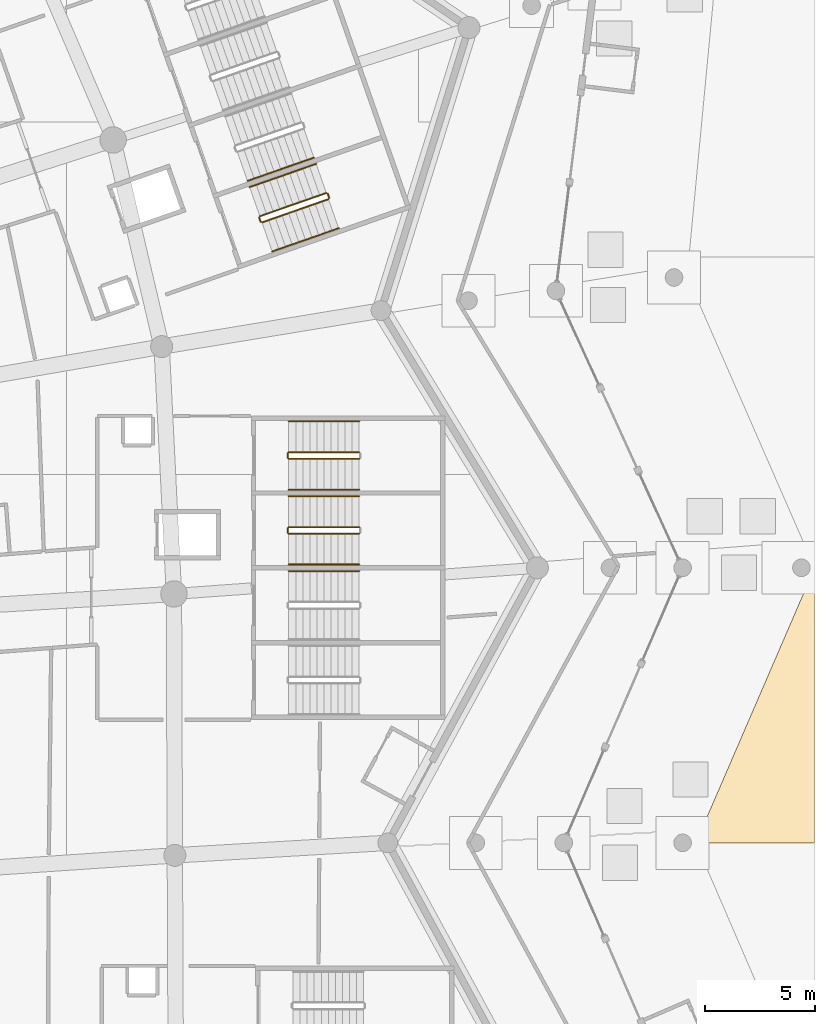
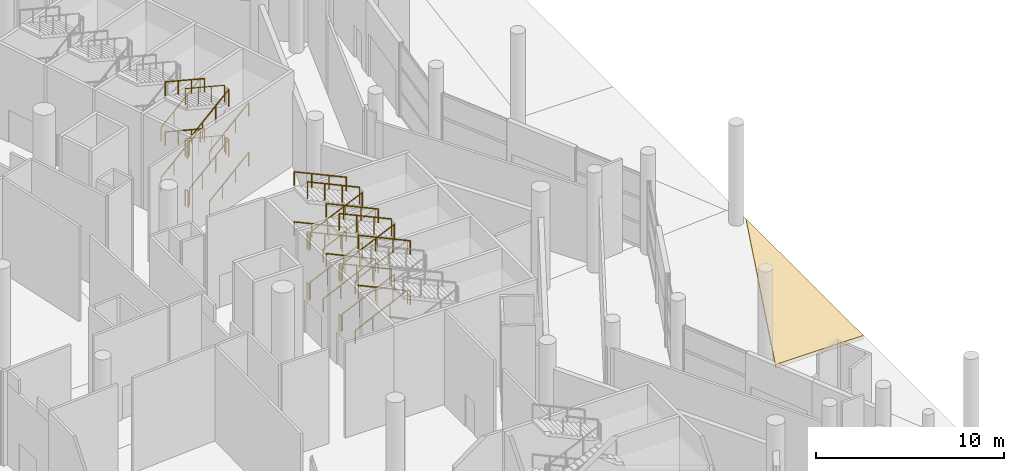
# One storey, part 244 of 255: 35 railings, 1 covering.
"""IFC4 building model written with IfcOpenShell, lengths in metres."""

from ifc_helpers import new_model, si_unit, direction, frame, origin, origin_2d, place, context, subcontext, project, spatial, polyline, circle, outline, extrude, material, layer, layer_set, type_object, element, save


model = new_model("IFC4")

# Units and contexts
model_context = context("Model", 3, precision=1e-05, world=origin(), true_north=direction((0.0, 1.0)))
body_context = subcontext(model_context, "Body", "Model", "MODEL_VIEW")
ifc_project = project(units=[si_unit("LENGTHUNIT", "METRE"), si_unit("AREAUNIT", "SQUARE_METRE"), si_unit("VOLUMEUNIT", "CUBIC_METRE"), si_unit("PLANEANGLEUNIT", "RADIAN"), si_unit("MASSUNIT", "GRAM", prefix="KILO")], contexts=[model_context])

# Site, building, storey
site_placement = place(None, origin())
site = spatial("IfcSite", under=ifc_project, at=site_placement, CompositionType="ELEMENT")
building_placement = place(site_placement, origin())
building = spatial("IfcBuilding", under=site, at=building_placement, Name="Meseta Stadium", CompositionType="ELEMENT")
storey_placement = place(building_placement, origin())
storey = spatial("IfcBuildingStorey", under=building, at=storey_placement, Name="L00", CompositionType="ELEMENT", Elevation=0.0)

# Covering
ifc_material_1 = material(Name="Guadarrama granite paving on bedding", Category="masonry")
ifc_layer = layer(ifc_material_1, 0.25)
ifc_layer_set = layer_set([ifc_layer], Name="Ground paving 250")
covering_type = type_object("IfcCoveringType", Name="Ground paving 250", PredefinedType="FLOORING", material=ifc_layer_set)
covering_placement = place(storey_placement, frame((0.0, 0.0, -0.25)))
element("IfcCovering", 1, at=covering_placement, inside=storey, type_object=covering_type, Name="Forecourt paving 41", PredefinedType="FLOORING", context=body_context, shape_type="SweptSolid", body=[
    extrude(outline(polyline([(114.0, 31.25), (114.0, 43.75), (108.60009765625, 31.25), (114.0, 31.25)])), origin(), (0.0, 0.0, 1.0), 0.25),
])

# Railings
ifc_material_2 = material(Name="Steel S355", Category="steel")
railing_type_1 = type_object("IfcRailingType", Name="Stair guard 1100", PredefinedType="GUARDRAIL", material=ifc_material_2)
railing_1_placement = place(storey_placement, frame((90.10009765625, 45.300048828125, 0.147705078125)))
element("IfcRailing", 2, at=railing_1_placement, inside=storey, type_object=railing_type_1, Name="ST19 L00 guard 1", PredefinedType="GUARDRAIL", context=body_context, shape_type="SweptSolid", body=[
    extrude(circle(Radius=0.02392578125, at=origin_2d()), frame((0.0, 0.0, 1.076171875), z_axis=(0.907916804346, 0.0, 0.419150422148), x_axis=(0.0, 1.0, 0.0)), (0.0, 0.0, 1.0), 3.5244140625),
    extrude(circle(Radius=0.02099609375, at=origin_2d()), origin(), (0.0, 0.0, 1.0), 1.052001953125),
    extrude(circle(Radius=0.02099609375, at=origin_2d()), frame((1.066650390625, 0.0, 0.492431640625)), (0.0, 0.0, 1.0), 1.052001953125),
    extrude(circle(Radius=0.02099609375, at=origin_2d()), frame((2.13330078125, 0.0, 0.98486328125)), (0.0, 0.0, 1.0), 1.052001953125),
    extrude(circle(Radius=0.02099609375, at=origin_2d()), frame((3.199951171875, 0.0, 1.477294921875)), (0.0, 0.0, 1.0), 1.052001953125),
])
railing_2_placement = place(storey_placement, frame((93.300048828125, 45.60009765625, 1.772705078125)))
element("IfcRailing", 3, at=railing_2_placement, inside=storey, type_object=railing_type_1, Name="ST19 L00 guard 3", PredefinedType="GUARDRAIL", context=body_context, shape_type="SweptSolid", body=[
    extrude(circle(Radius=0.02392578125, at=origin_2d()), frame((0.0, 0.0, 1.076171875), z_axis=(-0.907916804346, 0.0, 0.419150422148), x_axis=(0.0, -1.0, 0.0)), (0.0, 0.0, 1.0), 3.5244140625),
    extrude(circle(Radius=0.02099609375, at=origin_2d()), origin(), (0.0, 0.0, 1.0), 1.052001953125),
    extrude(circle(Radius=0.02099609375, at=origin_2d()), frame((-1.066650390625, 0.0, 0.492431640625)), (0.0, 0.0, 1.0), 1.052001953125),
    extrude(circle(Radius=0.02099609375, at=origin_2d()), frame((-2.13330078125, 0.0, 0.98486328125)), (0.0, 0.0, 1.0), 1.052001953125),
    extrude(circle(Radius=0.02099609375, at=origin_2d()), frame((-3.199951171875, 0.0, 1.477294921875)), (0.0, 0.0, 1.0), 1.052001953125),
])
railing_3_placement = place(storey_placement, frame((90.050048828125, 45.35009765625, 3.25)))
element("IfcRailing", 4, at=railing_3_placement, inside=storey, type_object=railing_type_1, Name="ST19 L00 guard 4", PredefinedType="GUARDRAIL", context=body_context, shape_type="SweptSolid", body=[
    extrude(circle(Radius=0.02392578125, at=origin_2d()), frame((0.0, 0.0, 1.076171875), z_axis=(0.0, 1.0, 0.0), x_axis=(-1.0, 0.0, 0.0)), (0.0, 0.0, 1.0), 0.199951171875),
    extrude(circle(Radius=0.02099609375, at=origin_2d()), origin(), (0.0, 0.0, 1.0), 1.052001953125),
    extrude(circle(Radius=0.02099609375, at=origin_2d()), frame((0.0, 0.199951171875, 0.0)), (0.0, 0.0, 1.0), 1.052001953125),
])
railing_4_placement = place(storey_placement, frame((90.10009765625, 45.300048828125, 3.397705078125)))
element("IfcRailing", 5, at=railing_4_placement, inside=storey, type_object=railing_type_1, Name="ST19 L00 guard 5", PredefinedType="GUARDRAIL", context=body_context, shape_type="SweptSolid", body=[
    extrude(circle(Radius=0.02392578125, at=origin_2d()), frame((0.0, 0.0, 1.076171875), z_axis=(0.907916804346, 0.0, 0.419150422148), x_axis=(0.0, 1.0, 0.0)), (0.0, 0.0, 1.0), 3.5244140625),
    extrude(circle(Radius=0.02099609375, at=origin_2d()), origin(), (0.0, 0.0, 1.0), 1.052001953125),
    extrude(circle(Radius=0.02099609375, at=origin_2d()), frame((1.066650390625, 0.0, 0.492431640625)), (0.0, 0.0, 1.0), 1.052001953125),
    extrude(circle(Radius=0.02099609375, at=origin_2d()), frame((2.13330078125, 0.0, 0.98486328125)), (0.0, 0.0, 1.0), 1.052001953125),
    extrude(circle(Radius=0.02099609375, at=origin_2d()), frame((3.199951171875, 0.0, 1.477294921875)), (0.0, 0.0, 1.0), 1.052001953125),
])
railing_5_placement = place(storey_placement, frame((93.300048828125, 45.60009765625, 5.022705078125)))
element("IfcRailing", 6, at=railing_5_placement, inside=storey, type_object=railing_type_1, Name="ST19 L00 guard 7", PredefinedType="GUARDRAIL", context=body_context, shape_type="SweptSolid", body=[
    extrude(circle(Radius=0.02392578125, at=origin_2d()), frame((0.0, 0.0, 1.076171875), z_axis=(-0.907916804346, 0.0, 0.419150422148), x_axis=(0.0, -1.0, 0.0)), (0.0, 0.0, 1.0), 3.5244140625),
    extrude(circle(Radius=0.02099609375, at=origin_2d()), origin(), (0.0, 0.0, 1.0), 1.052001953125),
    extrude(circle(Radius=0.02099609375, at=origin_2d()), frame((-1.066650390625, 0.0, 0.492431640625)), (0.0, 0.0, 1.0), 1.052001953125),
    extrude(circle(Radius=0.02099609375, at=origin_2d()), frame((-2.13330078125, 0.0, 0.98486328125)), (0.0, 0.0, 1.0), 1.052001953125),
    extrude(circle(Radius=0.02099609375, at=origin_2d()), frame((-3.199951171875, 0.0, 1.477294921875)), (0.0, 0.0, 1.0), 1.052001953125),
])
railing_6_placement = place(storey_placement, frame((90.050048828125, 45.35009765625, 0.0)))
element("IfcRailing", 7, at=railing_6_placement, inside=storey, type_object=railing_type_1, Name="ST19 L00 guard 8", PredefinedType="GUARDRAIL", context=body_context, shape_type="SweptSolid", body=[
    extrude(circle(Radius=0.02392578125, at=origin_2d()), frame((0.0, 0.0, 1.076171875), z_axis=(0.0, 1.0, 0.0), x_axis=(-1.0, 0.0, 0.0)), (0.0, 0.0, 1.0), 0.199951171875),
    extrude(circle(Radius=0.02099609375, at=origin_2d()), origin(), (0.0, 0.0, 1.0), 1.052001953125),
    extrude(circle(Radius=0.02099609375, at=origin_2d()), frame((0.0, 0.199951171875, 0.0)), (0.0, 0.0, 1.0), 1.052001953125),
])
railing_7_placement = place(storey_placement, frame((90.10009765625, 48.699951171875, 0.147705078125)))
element("IfcRailing", 8, at=railing_7_placement, inside=storey, type_object=railing_type_1, Name="ST20 L00 guard 1", PredefinedType="GUARDRAIL", context=body_context, shape_type="SweptSolid", body=[
    extrude(circle(Radius=0.02392578125, at=origin_2d()), frame((0.0, 0.0, 1.076171875), z_axis=(0.907916804346, 0.0, 0.419150422148), x_axis=(0.0, 1.0, 0.0)), (0.0, 0.0, 1.0), 3.5244140625),
    extrude(circle(Radius=0.02099609375, at=origin_2d()), origin(), (0.0, 0.0, 1.0), 1.052001953125),
    extrude(circle(Radius=0.02099609375, at=origin_2d()), frame((1.066650390625, 0.0, 0.492431640625)), (0.0, 0.0, 1.0), 1.052001953125),
    extrude(circle(Radius=0.02099609375, at=origin_2d()), frame((2.13330078125, 0.0, 0.98486328125)), (0.0, 0.0, 1.0), 1.052001953125),
    extrude(circle(Radius=0.02099609375, at=origin_2d()), frame((3.199951171875, 0.0, 1.477294921875)), (0.0, 0.0, 1.0), 1.052001953125),
])
railing_8_placement = place(storey_placement, frame((93.300048828125, 49.0, 1.772705078125)))
element("IfcRailing", 9, at=railing_8_placement, inside=storey, type_object=railing_type_1, Name="ST20 L00 guard 3", PredefinedType="GUARDRAIL", context=body_context, shape_type="SweptSolid", body=[
    extrude(circle(Radius=0.02392578125, at=origin_2d()), frame((0.0, 0.0, 1.076171875), z_axis=(-0.907916804346, 0.0, 0.419150422148), x_axis=(0.0, -1.0, 0.0)), (0.0, 0.0, 1.0), 3.5244140625),
    extrude(circle(Radius=0.02099609375, at=origin_2d()), origin(), (0.0, 0.0, 1.0), 1.052001953125),
    extrude(circle(Radius=0.02099609375, at=origin_2d()), frame((-1.066650390625, 0.0, 0.492431640625)), (0.0, 0.0, 1.0), 1.052001953125),
    extrude(circle(Radius=0.02099609375, at=origin_2d()), frame((-2.13330078125, 0.0, 0.98486328125)), (0.0, 0.0, 1.0), 1.052001953125),
    extrude(circle(Radius=0.02099609375, at=origin_2d()), frame((-3.199951171875, 0.0, 1.477294921875)), (0.0, 0.0, 1.0), 1.052001953125),
])
railing_9_placement = place(storey_placement, frame((90.050048828125, 48.75, 3.25)))
element("IfcRailing", 10, at=railing_9_placement, inside=storey, type_object=railing_type_1, Name="ST20 L00 guard 4", PredefinedType="GUARDRAIL", context=body_context, shape_type="SweptSolid", body=[
    extrude(circle(Radius=0.02392578125, at=origin_2d()), frame((0.0, 0.0, 1.076171875), z_axis=(0.0, 1.0, 0.0), x_axis=(-1.0, 0.0, 0.0)), (0.0, 0.0, 1.0), 0.199951171875),
    extrude(circle(Radius=0.02099609375, at=origin_2d()), origin(), (0.0, 0.0, 1.0), 1.052001953125),
    extrude(circle(Radius=0.02099609375, at=origin_2d()), frame((0.0, 0.199951171875, 0.0)), (0.0, 0.0, 1.0), 1.052001953125),
])
railing_10_placement = place(storey_placement, frame((90.10009765625, 48.699951171875, 3.397705078125)))
element("IfcRailing", 11, at=railing_10_placement, inside=storey, type_object=railing_type_1, Name="ST20 L00 guard 5", PredefinedType="GUARDRAIL", context=body_context, shape_type="SweptSolid", body=[
    extrude(circle(Radius=0.02392578125, at=origin_2d()), frame((0.0, 0.0, 1.076171875), z_axis=(0.907916804346, 0.0, 0.419150422148), x_axis=(0.0, 1.0, 0.0)), (0.0, 0.0, 1.0), 3.5244140625),
    extrude(circle(Radius=0.02099609375, at=origin_2d()), origin(), (0.0, 0.0, 1.0), 1.052001953125),
    extrude(circle(Radius=0.02099609375, at=origin_2d()), frame((1.066650390625, 0.0, 0.492431640625)), (0.0, 0.0, 1.0), 1.052001953125),
    extrude(circle(Radius=0.02099609375, at=origin_2d()), frame((2.13330078125, 0.0, 0.98486328125)), (0.0, 0.0, 1.0), 1.052001953125),
    extrude(circle(Radius=0.02099609375, at=origin_2d()), frame((3.199951171875, 0.0, 1.477294921875)), (0.0, 0.0, 1.0), 1.052001953125),
])
railing_11_placement = place(storey_placement, frame((93.300048828125, 49.0, 5.022705078125)))
element("IfcRailing", 12, at=railing_11_placement, inside=storey, type_object=railing_type_1, Name="ST20 L00 guard 7", PredefinedType="GUARDRAIL", context=body_context, shape_type="SweptSolid", body=[
    extrude(circle(Radius=0.02392578125, at=origin_2d()), frame((0.0, 0.0, 1.076171875), z_axis=(-0.907916804346, 0.0, 0.419150422148), x_axis=(0.0, -1.0, 0.0)), (0.0, 0.0, 1.0), 3.5244140625),
    extrude(circle(Radius=0.02099609375, at=origin_2d()), origin(), (0.0, 0.0, 1.0), 1.052001953125),
    extrude(circle(Radius=0.02099609375, at=origin_2d()), frame((-1.066650390625, 0.0, 0.492431640625)), (0.0, 0.0, 1.0), 1.052001953125),
    extrude(circle(Radius=0.02099609375, at=origin_2d()), frame((-2.13330078125, 0.0, 0.98486328125)), (0.0, 0.0, 1.0), 1.052001953125),
    extrude(circle(Radius=0.02099609375, at=origin_2d()), frame((-3.199951171875, 0.0, 1.477294921875)), (0.0, 0.0, 1.0), 1.052001953125),
])
railing_12_placement = place(storey_placement, frame((90.050048828125, 48.75, 0.0)))
element("IfcRailing", 13, at=railing_12_placement, inside=storey, type_object=railing_type_1, Name="ST20 L00 guard 8", PredefinedType="GUARDRAIL", context=body_context, shape_type="SweptSolid", body=[
    extrude(circle(Radius=0.02392578125, at=origin_2d()), frame((0.0, 0.0, 1.076171875), z_axis=(0.0, 1.0, 0.0), x_axis=(-1.0, 0.0, 0.0)), (0.0, 0.0, 1.0), 0.199951171875),
    extrude(circle(Radius=0.02099609375, at=origin_2d()), origin(), (0.0, 0.0, 1.0), 1.052001953125),
    extrude(circle(Radius=0.02099609375, at=origin_2d()), frame((0.0, 0.199951171875, 0.0)), (0.0, 0.0, 1.0), 1.052001953125),
])
railing_13_placement = place(storey_placement, frame((88.88720703125, 59.44482421875, 0.147705078125)))
element("IfcRailing", 14, at=railing_13_placement, inside=storey, type_object=railing_type_1, Name="ST21 L00 guard 1", PredefinedType="GUARDRAIL", context=body_context, shape_type="SweptSolid", body=[
    extrude(circle(Radius=0.02392578125, at=origin_2d()), frame((0.0, 0.0, 1.076171875), z_axis=(0.856976550022, 0.299858671601, 0.419137172986), x_axis=(-0.330268863922, 0.943886898693, 0.0)), (0.0, 0.0, 1.0), 3.524658203125),
    extrude(circle(Radius=0.02099609375, at=origin_2d()), origin(), (0.0, 0.0, 1.0), 1.052001953125),
    extrude(circle(Radius=0.02099609375, at=origin_2d()), frame((1.0068359375, 0.352294921875, 0.492431640625)), (0.0, 0.0, 1.0), 1.052001953125),
    extrude(circle(Radius=0.02099609375, at=origin_2d()), frame((2.013671875, 0.70458984375, 0.98486328125)), (0.0, 0.0, 1.0), 1.052001953125),
    extrude(circle(Radius=0.02099609375, at=origin_2d()), frame((3.0205078125, 1.056884765625, 1.477294921875)), (0.0, 0.0, 1.0), 1.052001953125),
])
railing_14_placement = place(storey_placement, frame((91.9384765625, 60.5654296875, 1.625)))
element("IfcRailing", 15, at=railing_14_placement, inside=storey, type_object=railing_type_1, Name="ST21 L00 guard 2", PredefinedType="GUARDRAIL", context=body_context, shape_type="SweptSolid", body=[
    extrude(circle(Radius=0.02392578125, at=origin_2d()), frame((0.0, 0.0, 1.076171875), z_axis=(-0.330839792317, 0.943686935281, 0.0), x_axis=(-0.943686935281, -0.330839792317, 0.0)), (0.0, 0.0, 1.0), 0.199951171875),
    extrude(circle(Radius=0.02099609375, at=origin_2d()), origin(), (0.0, 0.0, 1.0), 1.052001953125),
    extrude(circle(Radius=0.02099609375, at=origin_2d()), frame((-0.066162109375, 0.188720703125, 0.0)), (0.0, 0.0, 1.0), 1.052001953125),
])
railing_15_placement = place(storey_placement, frame((91.80859375, 60.784912109375, 1.772705078125)))
element("IfcRailing", 16, at=railing_15_placement, inside=storey, type_object=railing_type_1, Name="ST21 L00 guard 3", PredefinedType="GUARDRAIL", context=body_context, shape_type="SweptSolid", body=[
    extrude(circle(Radius=0.02392578125, at=origin_2d()), frame((0.0, 0.0, 1.076171875), z_axis=(-0.856976550022, -0.299858671601, 0.419137172986), x_axis=(0.330268863922, -0.943886898693, 0.0)), (0.0, 0.0, 1.0), 3.524658203125),
    extrude(circle(Radius=0.02099609375, at=origin_2d()), origin(), (0.0, 0.0, 1.0), 1.052001953125),
    extrude(circle(Radius=0.02099609375, at=origin_2d()), frame((-1.0068359375, -0.352294921875, 0.492431640625)), (0.0, 0.0, 1.0), 1.052001953125),
    extrude(circle(Radius=0.02099609375, at=origin_2d()), frame((-2.013671875, -0.70458984375, 0.98486328125)), (0.0, 0.0, 1.0), 1.052001953125),
    extrude(circle(Radius=0.02099609375, at=origin_2d()), frame((-3.0205078125, -1.056884765625, 1.477294921875)), (0.0, 0.0, 1.0), 1.052001953125),
])
railing_16_placement = place(storey_placement, frame((88.823486328125, 59.475341796875, 3.25)))
element("IfcRailing", 17, at=railing_16_placement, inside=storey, type_object=railing_type_1, Name="ST21 L00 guard 4", PredefinedType="GUARDRAIL", context=body_context, shape_type="SweptSolid", body=[
    extrude(circle(Radius=0.02392578125, at=origin_2d()), frame((0.0, 0.0, 1.076171875), z_axis=(-0.329372156318, 0.944200181446, 0.0), x_axis=(-0.944200181446, -0.329372156318, 0.0)), (0.0, 0.0, 1.0), 0.2001953125),
    extrude(circle(Radius=0.02099609375, at=origin_2d()), origin(), (0.0, 0.0, 1.0), 1.052001953125),
    extrude(circle(Radius=0.02099609375, at=origin_2d()), frame((-0.06591796875, 0.18896484375, 0.0)), (0.0, 0.0, 1.0), 1.052001953125),
])
railing_17_placement = place(storey_placement, frame((88.88720703125, 59.44482421875, 3.397705078125)))
element("IfcRailing", 18, at=railing_17_placement, inside=storey, type_object=railing_type_1, Name="ST21 L00 guard 5", PredefinedType="GUARDRAIL", context=body_context, shape_type="SweptSolid", body=[
    extrude(circle(Radius=0.02392578125, at=origin_2d()), frame((0.0, 0.0, 1.076171875), z_axis=(0.856976550022, 0.299858671601, 0.419137172986), x_axis=(-0.330268863922, 0.943886898693, 0.0)), (0.0, 0.0, 1.0), 3.524658203125),
    extrude(circle(Radius=0.02099609375, at=origin_2d()), origin(), (0.0, 0.0, 1.0), 1.052001953125),
    extrude(circle(Radius=0.02099609375, at=origin_2d()), frame((1.0068359375, 0.352294921875, 0.492431640625)), (0.0, 0.0, 1.0), 1.052001953125),
    extrude(circle(Radius=0.02099609375, at=origin_2d()), frame((2.013671875, 0.70458984375, 0.98486328125)), (0.0, 0.0, 1.0), 1.052001953125),
    extrude(circle(Radius=0.02099609375, at=origin_2d()), frame((3.0205078125, 1.056884765625, 1.477294921875)), (0.0, 0.0, 1.0), 1.052001953125),
])
railing_18_placement = place(storey_placement, frame((91.80859375, 60.784912109375, 5.022705078125)))
element("IfcRailing", 19, at=railing_18_placement, inside=storey, type_object=railing_type_1, Name="ST21 L00 guard 7", PredefinedType="GUARDRAIL", context=body_context, shape_type="SweptSolid", body=[
    extrude(circle(Radius=0.02392578125, at=origin_2d()), frame((0.0, 0.0, 1.076171875), z_axis=(-0.856976550022, -0.299858671601, 0.419137172986), x_axis=(0.330268863922, -0.943886898693, 0.0)), (0.0, 0.0, 1.0), 3.524658203125),
    extrude(circle(Radius=0.02099609375, at=origin_2d()), origin(), (0.0, 0.0, 1.0), 1.052001953125),
    extrude(circle(Radius=0.02099609375, at=origin_2d()), frame((-1.0068359375, -0.352294921875, 0.492431640625)), (0.0, 0.0, 1.0), 1.052001953125),
    extrude(circle(Radius=0.02099609375, at=origin_2d()), frame((-2.013671875, -0.70458984375, 0.98486328125)), (0.0, 0.0, 1.0), 1.052001953125),
    extrude(circle(Radius=0.02099609375, at=origin_2d()), frame((-3.0205078125, -1.056884765625, 1.477294921875)), (0.0, 0.0, 1.0), 1.052001953125),
])
railing_19_placement = place(storey_placement, frame((88.823486328125, 59.475341796875, 0.0)))
element("IfcRailing", 20, at=railing_19_placement, inside=storey, type_object=railing_type_1, Name="ST21 L00 guard 8", PredefinedType="GUARDRAIL", context=body_context, shape_type="SweptSolid", body=[
    extrude(circle(Radius=0.02392578125, at=origin_2d()), frame((0.0, 0.0, 1.076171875), z_axis=(-0.329372156318, 0.944200181446, 0.0), x_axis=(-0.944200181446, -0.329372156318, 0.0)), (0.0, 0.0, 1.0), 0.2001953125),
    extrude(circle(Radius=0.02099609375, at=origin_2d()), origin(), (0.0, 0.0, 1.0), 1.052001953125),
    extrude(circle(Radius=0.02099609375, at=origin_2d()), frame((-0.06591796875, 0.18896484375, 0.0)), (0.0, 0.0, 1.0), 1.052001953125),
])
ifc_material_3 = material(Name="Steel S355", Category="steel")
railing_type_2 = type_object("IfcRailingType", Name="Stair handrail 900", PredefinedType="HANDRAIL", material=ifc_material_3)
for number, where, name in (
    (21, (93.300048828125, 43.60009765625, 1.772705078125), "ST18 L00 handrail 2"),
    (22, (93.300048828125, 43.60009765625, 5.022705078125), "ST18 L00 handrail 4"),
):
    element("IfcRailing", number, at=place(storey_placement, frame(where)), inside=storey, type_object=railing_type_2, Name=name, PredefinedType="HANDRAIL", context=body_context, shape_type="SweptSolid", body=[
        extrude(circle(Radius=0.02392578125, at=origin_2d()), frame((0.0, 0.0, 0.8759765625), z_axis=(-0.907916804346, 0.0, 0.419150422148), x_axis=(0.0, -1.0, 0.0)), (0.0, 0.0, 1.0), 3.5244140625),
        extrude(circle(Radius=0.02099609375, at=origin_2d()), origin(), (0.0, 0.0, 1.0), 0.851806640625),
        extrude(circle(Radius=0.02099609375, at=origin_2d()), frame((-1.066650390625, 0.0, 0.492431640625)), (0.0, 0.0, 1.0), 0.851806640625),
        extrude(circle(Radius=0.02099609375, at=origin_2d()), frame((-2.13330078125, 0.0, 0.98486328125)), (0.0, 0.0, 1.0), 0.851806640625),
        extrude(circle(Radius=0.02099609375, at=origin_2d()), frame((-3.199951171875, 0.0, 1.477294921875)), (0.0, 0.0, 1.0), 0.851806640625),
    ])
railing_20_placement = place(storey_placement, frame((90.10009765625, 43.89990234375, 0.147705078125)))
element("IfcRailing", 23, at=railing_20_placement, inside=storey, type_object=railing_type_2, Name="ST19 L00 handrail 1", PredefinedType="HANDRAIL", context=body_context, shape_type="SweptSolid", body=[
    extrude(circle(Radius=0.02392578125, at=origin_2d()), frame((0.0, 0.0, 0.8759765625), z_axis=(0.907916804346, 0.0, 0.419150422148), x_axis=(0.0, 1.0, 0.0)), (0.0, 0.0, 1.0), 3.5244140625),
    extrude(circle(Radius=0.02099609375, at=origin_2d()), origin(), (0.0, 0.0, 1.0), 0.851806640625),
    extrude(circle(Radius=0.02099609375, at=origin_2d()), frame((1.066650390625, 0.0, 0.492431640625)), (0.0, 0.0, 1.0), 0.851806640625),
    extrude(circle(Radius=0.02099609375, at=origin_2d()), frame((2.13330078125, 0.0, 0.98486328125)), (0.0, 0.0, 1.0), 0.851806640625),
    extrude(circle(Radius=0.02099609375, at=origin_2d()), frame((3.199951171875, 0.0, 1.477294921875)), (0.0, 0.0, 1.0), 0.851806640625),
])
railing_21_placement = place(storey_placement, frame((93.300048828125, 47.0, 1.772705078125)))
element("IfcRailing", 24, at=railing_21_placement, inside=storey, type_object=railing_type_2, Name="ST19 L00 handrail 2", PredefinedType="HANDRAIL", context=body_context, shape_type="SweptSolid", body=[
    extrude(circle(Radius=0.02392578125, at=origin_2d()), frame((0.0, 0.0, 0.8759765625), z_axis=(-0.907916804346, 0.0, 0.419150422148), x_axis=(0.0, -1.0, 0.0)), (0.0, 0.0, 1.0), 3.5244140625),
    extrude(circle(Radius=0.02099609375, at=origin_2d()), origin(), (0.0, 0.0, 1.0), 0.851806640625),
    extrude(circle(Radius=0.02099609375, at=origin_2d()), frame((-1.066650390625, 0.0, 0.492431640625)), (0.0, 0.0, 1.0), 0.851806640625),
    extrude(circle(Radius=0.02099609375, at=origin_2d()), frame((-2.13330078125, 0.0, 0.98486328125)), (0.0, 0.0, 1.0), 0.851806640625),
    extrude(circle(Radius=0.02099609375, at=origin_2d()), frame((-3.199951171875, 0.0, 1.477294921875)), (0.0, 0.0, 1.0), 0.851806640625),
])
railing_22_placement = place(storey_placement, frame((90.10009765625, 43.89990234375, 3.397705078125)))
element("IfcRailing", 25, at=railing_22_placement, inside=storey, type_object=railing_type_2, Name="ST19 L00 handrail 3", PredefinedType="HANDRAIL", context=body_context, shape_type="SweptSolid", body=[
    extrude(circle(Radius=0.02392578125, at=origin_2d()), frame((0.0, 0.0, 0.8759765625), z_axis=(0.907916804346, 0.0, 0.419150422148), x_axis=(0.0, 1.0, 0.0)), (0.0, 0.0, 1.0), 3.5244140625),
    extrude(circle(Radius=0.02099609375, at=origin_2d()), origin(), (0.0, 0.0, 1.0), 0.851806640625),
    extrude(circle(Radius=0.02099609375, at=origin_2d()), frame((1.066650390625, 0.0, 0.492431640625)), (0.0, 0.0, 1.0), 0.851806640625),
    extrude(circle(Radius=0.02099609375, at=origin_2d()), frame((2.13330078125, 0.0, 0.98486328125)), (0.0, 0.0, 1.0), 0.851806640625),
    extrude(circle(Radius=0.02099609375, at=origin_2d()), frame((3.199951171875, 0.0, 1.477294921875)), (0.0, 0.0, 1.0), 0.851806640625),
])
railing_23_placement = place(storey_placement, frame((93.300048828125, 47.0, 5.022705078125)))
element("IfcRailing", 26, at=railing_23_placement, inside=storey, type_object=railing_type_2, Name="ST19 L00 handrail 4", PredefinedType="HANDRAIL", context=body_context, shape_type="SweptSolid", body=[
    extrude(circle(Radius=0.02392578125, at=origin_2d()), frame((0.0, 0.0, 0.8759765625), z_axis=(-0.907916804346, 0.0, 0.419150422148), x_axis=(0.0, -1.0, 0.0)), (0.0, 0.0, 1.0), 3.5244140625),
    extrude(circle(Radius=0.02099609375, at=origin_2d()), origin(), (0.0, 0.0, 1.0), 0.851806640625),
    extrude(circle(Radius=0.02099609375, at=origin_2d()), frame((-1.066650390625, 0.0, 0.492431640625)), (0.0, 0.0, 1.0), 0.851806640625),
    extrude(circle(Radius=0.02099609375, at=origin_2d()), frame((-2.13330078125, 0.0, 0.98486328125)), (0.0, 0.0, 1.0), 0.851806640625),
    extrude(circle(Radius=0.02099609375, at=origin_2d()), frame((-3.199951171875, 0.0, 1.477294921875)), (0.0, 0.0, 1.0), 0.851806640625),
])
railing_24_placement = place(storey_placement, frame((90.10009765625, 47.300048828125, 0.147705078125)))
element("IfcRailing", 27, at=railing_24_placement, inside=storey, type_object=railing_type_2, Name="ST20 L00 handrail 1", PredefinedType="HANDRAIL", context=body_context, shape_type="SweptSolid", body=[
    extrude(circle(Radius=0.02392578125, at=origin_2d()), frame((0.0, 0.0, 0.8759765625), z_axis=(0.907916804346, 0.0, 0.419150422148), x_axis=(0.0, 1.0, 0.0)), (0.0, 0.0, 1.0), 3.5244140625),
    extrude(circle(Radius=0.02099609375, at=origin_2d()), origin(), (0.0, 0.0, 1.0), 0.851806640625),
    extrude(circle(Radius=0.02099609375, at=origin_2d()), frame((1.066650390625, 0.0, 0.492431640625)), (0.0, 0.0, 1.0), 0.851806640625),
    extrude(circle(Radius=0.02099609375, at=origin_2d()), frame((2.13330078125, 0.0, 0.98486328125)), (0.0, 0.0, 1.0), 0.851806640625),
    extrude(circle(Radius=0.02099609375, at=origin_2d()), frame((3.199951171875, 0.0, 1.477294921875)), (0.0, 0.0, 1.0), 0.851806640625),
])
railing_25_placement = place(storey_placement, frame((93.300048828125, 50.39990234375, 1.772705078125)))
element("IfcRailing", 28, at=railing_25_placement, inside=storey, type_object=railing_type_2, Name="ST20 L00 handrail 2", PredefinedType="HANDRAIL", context=body_context, shape_type="SweptSolid", body=[
    extrude(circle(Radius=0.02392578125, at=origin_2d()), frame((0.0, 0.0, 0.8759765625), z_axis=(-0.907916804346, 0.0, 0.419150422148), x_axis=(0.0, -1.0, 0.0)), (0.0, 0.0, 1.0), 3.5244140625),
    extrude(circle(Radius=0.02099609375, at=origin_2d()), origin(), (0.0, 0.0, 1.0), 0.851806640625),
    extrude(circle(Radius=0.02099609375, at=origin_2d()), frame((-1.066650390625, 0.0, 0.492431640625)), (0.0, 0.0, 1.0), 0.851806640625),
    extrude(circle(Radius=0.02099609375, at=origin_2d()), frame((-2.13330078125, 0.0, 0.98486328125)), (0.0, 0.0, 1.0), 0.851806640625),
    extrude(circle(Radius=0.02099609375, at=origin_2d()), frame((-3.199951171875, 0.0, 1.477294921875)), (0.0, 0.0, 1.0), 0.851806640625),
])
railing_26_placement = place(storey_placement, frame((90.10009765625, 47.300048828125, 3.397705078125)))
element("IfcRailing", 29, at=railing_26_placement, inside=storey, type_object=railing_type_2, Name="ST20 L00 handrail 3", PredefinedType="HANDRAIL", context=body_context, shape_type="SweptSolid", body=[
    extrude(circle(Radius=0.02392578125, at=origin_2d()), frame((0.0, 0.0, 0.8759765625), z_axis=(0.907916804346, 0.0, 0.419150422148), x_axis=(0.0, 1.0, 0.0)), (0.0, 0.0, 1.0), 3.5244140625),
    extrude(circle(Radius=0.02099609375, at=origin_2d()), origin(), (0.0, 0.0, 1.0), 0.851806640625),
    extrude(circle(Radius=0.02099609375, at=origin_2d()), frame((1.066650390625, 0.0, 0.492431640625)), (0.0, 0.0, 1.0), 0.851806640625),
    extrude(circle(Radius=0.02099609375, at=origin_2d()), frame((2.13330078125, 0.0, 0.98486328125)), (0.0, 0.0, 1.0), 0.851806640625),
    extrude(circle(Radius=0.02099609375, at=origin_2d()), frame((3.199951171875, 0.0, 1.477294921875)), (0.0, 0.0, 1.0), 0.851806640625),
])
railing_27_placement = place(storey_placement, frame((93.300048828125, 50.39990234375, 5.022705078125)))
element("IfcRailing", 30, at=railing_27_placement, inside=storey, type_object=railing_type_2, Name="ST20 L00 handrail 4", PredefinedType="HANDRAIL", context=body_context, shape_type="SweptSolid", body=[
    extrude(circle(Radius=0.02392578125, at=origin_2d()), frame((0.0, 0.0, 0.8759765625), z_axis=(-0.907916804346, 0.0, 0.419150422148), x_axis=(0.0, -1.0, 0.0)), (0.0, 0.0, 1.0), 3.5244140625),
    extrude(circle(Radius=0.02099609375, at=origin_2d()), origin(), (0.0, 0.0, 1.0), 0.851806640625),
    extrude(circle(Radius=0.02099609375, at=origin_2d()), frame((-1.066650390625, 0.0, 0.492431640625)), (0.0, 0.0, 1.0), 0.851806640625),
    extrude(circle(Radius=0.02099609375, at=origin_2d()), frame((-2.13330078125, 0.0, 0.98486328125)), (0.0, 0.0, 1.0), 0.851806640625),
    extrude(circle(Radius=0.02099609375, at=origin_2d()), frame((-3.199951171875, 0.0, 1.477294921875)), (0.0, 0.0, 1.0), 0.851806640625),
])
railing_28_placement = place(storey_placement, frame((89.349609375, 58.123291015625, 0.147705078125)))
element("IfcRailing", 31, at=railing_28_placement, inside=storey, type_object=railing_type_2, Name="ST21 L00 handrail 1", PredefinedType="HANDRAIL", context=body_context, shape_type="SweptSolid", body=[
    extrude(circle(Radius=0.02392578125, at=origin_2d()), frame((0.0, 0.0, 0.8759765625), z_axis=(0.856976550022, 0.299858671601, 0.419137172986), x_axis=(-0.330268863922, 0.943886898693, 0.0)), (0.0, 0.0, 1.0), 3.524658203125),
    extrude(circle(Radius=0.02099609375, at=origin_2d()), origin(), (0.0, 0.0, 1.0), 0.851806640625),
    extrude(circle(Radius=0.02099609375, at=origin_2d()), frame((1.0068359375, 0.352294921875, 0.492431640625)), (0.0, 0.0, 1.0), 0.851806640625),
    extrude(circle(Radius=0.02099609375, at=origin_2d()), frame((2.013671875, 0.70458984375, 0.98486328125)), (0.0, 0.0, 1.0), 0.851806640625),
    extrude(circle(Radius=0.02099609375, at=origin_2d()), frame((3.0205078125, 1.056884765625, 1.477294921875)), (0.0, 0.0, 1.0), 0.851806640625),
])
railing_29_placement = place(storey_placement, frame((91.34619140625, 62.106201171875, 1.772705078125)))
element("IfcRailing", 32, at=railing_29_placement, inside=storey, type_object=railing_type_2, Name="ST21 L00 handrail 2", PredefinedType="HANDRAIL", context=body_context, shape_type="SweptSolid", body=[
    extrude(circle(Radius=0.02392578125, at=origin_2d()), frame((0.0, 0.0, 0.8759765625), z_axis=(-0.856976550022, -0.299858671601, 0.419137172986), x_axis=(0.330268863922, -0.943886898693, 0.0)), (0.0, 0.0, 1.0), 3.524658203125),
    extrude(circle(Radius=0.02099609375, at=origin_2d()), origin(), (0.0, 0.0, 1.0), 0.851806640625),
    extrude(circle(Radius=0.02099609375, at=origin_2d()), frame((-1.0068359375, -0.352294921875, 0.492431640625)), (0.0, 0.0, 1.0), 0.851806640625),
    extrude(circle(Radius=0.02099609375, at=origin_2d()), frame((-2.013671875, -0.70458984375, 0.98486328125)), (0.0, 0.0, 1.0), 0.851806640625),
    extrude(circle(Radius=0.02099609375, at=origin_2d()), frame((-3.0205078125, -1.056884765625, 1.477294921875)), (0.0, 0.0, 1.0), 0.851806640625),
])
railing_30_placement = place(storey_placement, frame((89.349609375, 58.123291015625, 3.397705078125)))
element("IfcRailing", 33, at=railing_30_placement, inside=storey, type_object=railing_type_2, Name="ST21 L00 handrail 3", PredefinedType="HANDRAIL", context=body_context, shape_type="SweptSolid", body=[
    extrude(circle(Radius=0.02392578125, at=origin_2d()), frame((0.0, 0.0, 0.8759765625), z_axis=(0.856976550022, 0.299858671601, 0.419137172986), x_axis=(-0.330268863922, 0.943886898693, 0.0)), (0.0, 0.0, 1.0), 3.524658203125),
    extrude(circle(Radius=0.02099609375, at=origin_2d()), origin(), (0.0, 0.0, 1.0), 0.851806640625),
    extrude(circle(Radius=0.02099609375, at=origin_2d()), frame((1.0068359375, 0.352294921875, 0.492431640625)), (0.0, 0.0, 1.0), 0.851806640625),
    extrude(circle(Radius=0.02099609375, at=origin_2d()), frame((2.013671875, 0.70458984375, 0.98486328125)), (0.0, 0.0, 1.0), 0.851806640625),
    extrude(circle(Radius=0.02099609375, at=origin_2d()), frame((3.0205078125, 1.056884765625, 1.477294921875)), (0.0, 0.0, 1.0), 0.851806640625),
])
railing_31_placement = place(storey_placement, frame((91.34619140625, 62.106201171875, 5.022705078125)))
element("IfcRailing", 34, at=railing_31_placement, inside=storey, type_object=railing_type_2, Name="ST21 L00 handrail 4", PredefinedType="HANDRAIL", context=body_context, shape_type="SweptSolid", body=[
    extrude(circle(Radius=0.02392578125, at=origin_2d()), frame((0.0, 0.0, 0.8759765625), z_axis=(-0.856976550022, -0.299858671601, 0.419137172986), x_axis=(0.330268863922, -0.943886898693, 0.0)), (0.0, 0.0, 1.0), 3.524658203125),
    extrude(circle(Radius=0.02099609375, at=origin_2d()), origin(), (0.0, 0.0, 1.0), 0.851806640625),
    extrude(circle(Radius=0.02099609375, at=origin_2d()), frame((-1.0068359375, -0.352294921875, 0.492431640625)), (0.0, 0.0, 1.0), 0.851806640625),
    extrude(circle(Radius=0.02099609375, at=origin_2d()), frame((-2.013671875, -0.70458984375, 0.98486328125)), (0.0, 0.0, 1.0), 0.851806640625),
    extrude(circle(Radius=0.02099609375, at=origin_2d()), frame((-3.0205078125, -1.056884765625, 1.477294921875)), (0.0, 0.0, 1.0), 0.851806640625),
])
for number, where, name in (
    (35, (88.226806640625, 61.33251953125, 0.147705078125), "ST22 L00 handrail 1"),
    (36, (88.226806640625, 61.33251953125, 3.397705078125), "ST22 L00 handrail 3"),
):
    element("IfcRailing", number, at=place(storey_placement, frame(where)), inside=storey, type_object=railing_type_2, Name=name, PredefinedType="HANDRAIL", context=body_context, shape_type="SweptSolid", body=[
        extrude(circle(Radius=0.02392578125, at=origin_2d()), frame((0.0, 0.0, 0.8759765625), z_axis=(0.856958151566, 0.299876472244, 0.419162054412), x_axis=(-0.330292648585, 0.943878576031, 0.0)), (0.0, 0.0, 1.0), 3.5244140625),
        extrude(circle(Radius=0.02099609375, at=origin_2d()), origin(), (0.0, 0.0, 1.0), 0.851806640625),
        extrude(circle(Radius=0.02099609375, at=origin_2d()), frame((1.0068359375, 0.352294921875, 0.492431640625)), (0.0, 0.0, 1.0), 0.851806640625),
        extrude(circle(Radius=0.02099609375, at=origin_2d()), frame((2.013427734375, 0.70458984375, 0.98486328125)), (0.0, 0.0, 1.0), 0.851806640625),
        extrude(circle(Radius=0.02099609375, at=origin_2d()), frame((3.020263671875, 1.056884765625, 1.477294921875)), (0.0, 0.0, 1.0), 0.851806640625),
    ])

save(model, "model.ifc")
